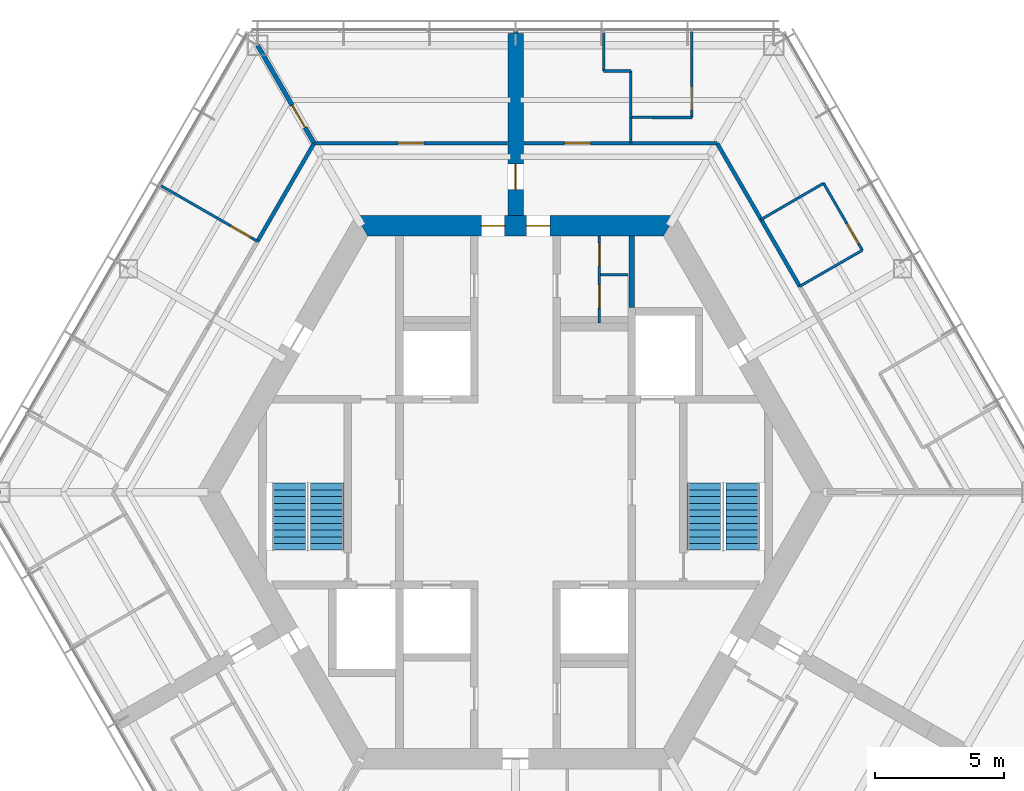
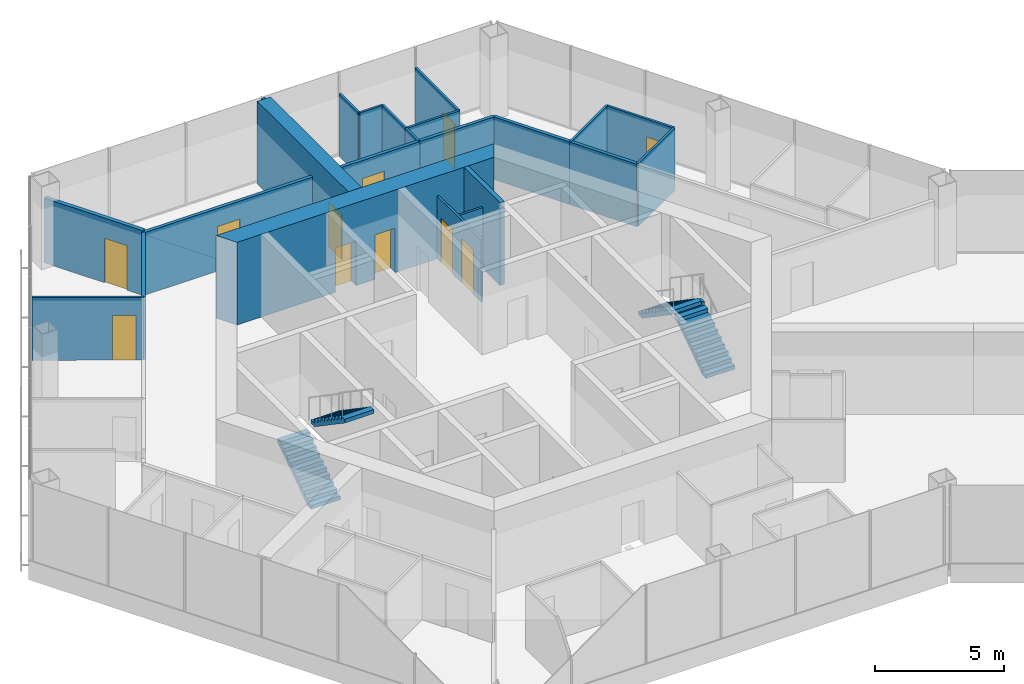
# One storey, part 14 of 17: 23 walls, 11 doors, 4 stair flights, 11 openings, 2 elements without a shape of their own.
"""IFC4 building model written with IfcOpenShell, lengths in metres."""

from ifc_helpers import new_model, si_unit, direction, frame, frame_2d, origin, place, context, subcontext, project, spatial, polyline, rectangle, outline, extrude, material, layer, layer_set, type_object, element, fill, aggregate, save


model = new_model("IFC4")

# Units and contexts
model_context = context("Model", 3, precision=1e-05, world=origin(), true_north=direction((0.0, 1.0)))
body_context = subcontext(model_context, "Body", "Model", "MODEL_VIEW")
ifc_project = project(units=[si_unit("LENGTHUNIT", "METRE"), si_unit("AREAUNIT", "SQUARE_METRE"), si_unit("VOLUMEUNIT", "CUBIC_METRE"), si_unit("PLANEANGLEUNIT", "RADIAN"), si_unit("MASSUNIT", "GRAM", prefix="KILO")], contexts=[model_context])

# Site, building, storey
site_placement = place(None, origin())
site = spatial("IfcSite", under=ifc_project, at=site_placement, CompositionType="ELEMENT")
building_placement = place(site_placement, origin())
building = spatial("IfcBuilding", under=site, at=building_placement, Name="Kasaneha Research Tower", CompositionType="ELEMENT")
storey_placement = place(building_placement, frame((0.0, 0.0, 232.300048828125)))
storey = spatial("IfcBuildingStorey", under=building, at=storey_placement, Name="L58", CompositionType="ELEMENT", Elevation=232.300048828125)

# Wall, openings, doors
ifc_material_1 = material(Name="Concrete Fc60", Category="concrete")
ifc_layer_1 = layer(ifc_material_1, 0.800048828125)
ifc_layer_set_1 = layer_set([ifc_layer_1], Name="Core wall 800 Fc60")
wall_type_1 = type_object("IfcWallType", Name="Core wall 800 Fc60", PredefinedType="SHEAR", material=ifc_layer_set_1)
wall_1_placement = place(storey_placement, frame((5.961181640625, 10.324951171875, 0.0), z_axis=(0.0, 0.0, 1.0), x_axis=(-1.0, 0.0, 0.0)))
wall_1 = element("IfcWall", 1, at=wall_1_placement, inside=storey, type_object=wall_type_1, Name="Core wall 090 L58", PredefinedType="SHEAR", context=body_context, shape_type="SweptSolid", body=[
    extrude(outline(polyline([(-0.23095703125, -0.39990234375), (4.63623046875, -0.39990234375), (5.5361328125, -0.39990234375), (6.38623046875, -0.39990234375), (7.2861328125, -0.39990234375), (12.1533203125, -0.39990234375), (11.69140625, 0.39990234375), (7.2861328125, 0.39990234375), (6.38623046875, 0.39990234375), (5.5361328125, 0.39990234375), (4.63623046875, 0.39990234375), (0.23095703125, 0.39990234375), (-0.23095703125, -0.39990234375)])), origin(), (0.0, 0.0, 1.0), 3.89990234375),
])
opening_1_placement = place(wall_1_placement, frame((6.38623046875, 0.0, 0.0)))
opening_1 = element("IfcOpeningElement", 2, at=opening_1_placement, cuts=wall_1, Name="Opening L58-D01", PredefinedType="OPENING", context=body_context, shape_type="SweptSolid", body=[
    extrude(rectangle(XDim=0.89990234375, YDim=2.10009765625, at=frame_2d((0.449951171875, 1.050048828125))), frame((0.0, 0.41015625, 0.0), z_axis=(0.0, -1.0, 0.0), x_axis=(1.0, 0.0, 0.0)), (0.0, 0.0, 1.0), 0.820068359375),
])
opening_2_placement = place(wall_1_placement, frame((4.63623046875, 0.0, 0.0)))
opening_2 = element("IfcOpeningElement", 3, at=opening_2_placement, cuts=wall_1, Name="Opening L58-D02", PredefinedType="OPENING", context=body_context, shape_type="SweptSolid", body=[
    extrude(rectangle(XDim=0.89990234375, YDim=2.10009765625, at=frame_2d((0.449951171875, 1.050048828125))), frame((0.0, 0.41015625, 0.0), z_axis=(0.0, -1.0, 0.0), x_axis=(1.0, 0.0, 0.0)), (0.0, 0.0, 1.0), 0.820068359375),
])
ifc_material_2 = material(Name="Steel", Category="steel")
door_type_1 = type_object("IfcDoorType", Name="Toilet door FD20 900x2100", OperationType="NOTDEFINED", PredefinedType="DOOR", material=ifc_material_2)
door_1_placement = place(opening_1_placement, origin())
door_1 = element("IfcDoor", 4, at=door_1_placement, inside=storey, type_object=door_type_1, Name="Core door north 1 L58-D01", OperationType="SINGLE_SWING_RIGHT", OverallHeight=2.10009765625, OverallWidth=0.89990234375, PredefinedType="DOOR", context=body_context, shape_type="SweptSolid", body=[
    extrude(rectangle(XDim=0.89990234375, YDim=2.10009765625, at=frame_2d((0.449951171875, 1.050048828125))), frame((0.0, 0.02490234375, 0.0), z_axis=(0.0, -1.0, 0.0), x_axis=(1.0, 0.0, 0.0)), (0.0, 0.0, 1.0), 0.050048828125),
])
fill(opening_1, door_1)
door_2_placement = place(opening_2_placement, origin())
door_2 = element("IfcDoor", 5, at=door_2_placement, inside=storey, type_object=door_type_1, Name="Core door north 2 L58-D02", OperationType="SINGLE_SWING_LEFT", OverallHeight=2.10009765625, OverallWidth=0.89990234375, PredefinedType="DOOR", context=body_context, shape_type="SweptSolid", body=[
    extrude(rectangle(XDim=0.89990234375, YDim=2.10009765625, at=frame_2d((0.449951171875, 1.050048828125))), frame((0.0, 0.02490234375, 0.0), z_axis=(0.0, -1.0, 0.0), x_axis=(1.0, 0.0, 0.0)), (0.0, 0.0, 1.0), 0.050048828125),
])
fill(opening_2, door_2)

ifc_material_3 = material(Name="Gypsum board on steel studs, one layer each side", Category="steel")
ifc_layer_2 = layer(ifc_material_3, 0.10009765625)
ifc_layer_set_2 = layer_set([ifc_layer_2], Name="Office partition 100")
wall_type_2 = type_object("IfcWallType", Name="Office partition 100", PredefinedType="PARTITIONING", material=ifc_layer_set_2)
wall_2_placement = place(storey_placement, frame((3.25, 6.550048828125, 0.0), z_axis=(0.0, 0.0, 1.0), x_axis=(0.0, 1.0, 0.0)))
wall_2 = element("IfcWall", 6, at=wall_2_placement, inside=storey, type_object=wall_type_2, Name="Office partition TBF1 L58", PredefinedType="PARTITIONING", context=body_context, shape_type="SweptSolid", body=[
    extrude(rectangle(XDim=3.375, YDim=0.10009765625, at=frame_2d((1.6875, 0.0))), origin(), (0.0, 0.0, 1.0), 2.949951171875),
])
opening_3_placement = place(wall_2_placement, frame((0.58740234375, 0.0, 0.0)))
opening_3 = element("IfcOpeningElement", 7, at=opening_3_placement, cuts=wall_2, Name="Opening L58-D21", PredefinedType="OPENING", context=body_context, shape_type="SweptSolid", body=[
    extrude(rectangle(XDim=0.89990234375, YDim=2.10009765625, at=frame_2d((0.449951171875, 1.050048828125))), frame((0.0, 0.06005859375, 0.0), z_axis=(0.0, -1.0, 0.0), x_axis=(1.0, 0.0, 0.0)), (0.0, 0.0, 1.0), 0.1201171875),
])
opening_4_placement = place(wall_2_placement, frame((2.199951171875, 0.0, 0.0)))
opening_4 = element("IfcOpeningElement", 8, at=opening_4_placement, cuts=wall_2, Name="Opening L58-D22", PredefinedType="OPENING", context=body_context, shape_type="SweptSolid", body=[
    extrude(rectangle(XDim=0.89990234375, YDim=2.10009765625, at=frame_2d((0.449951171875, 1.050048828125))), frame((0.0, 0.06005859375, 0.0), z_axis=(0.0, -1.0, 0.0), x_axis=(1.0, 0.0, 0.0)), (0.0, 0.0, 1.0), 0.1201171875),
])
ifc_material_4 = material(Name="Steel", Category="steel")
door_type_2 = type_object("IfcDoorType", Name="Toilet lobby door FD30 900x2100", OperationType="NOTDEFINED", PredefinedType="DOOR", material=ifc_material_4)
door_3_placement = place(opening_3_placement, origin())
door_3 = element("IfcDoor", 9, at=door_3_placement, inside=storey, type_object=door_type_2, Name="Women's WC door L58-D21", OperationType="SINGLE_SWING_RIGHT", OverallHeight=2.10009765625, OverallWidth=0.89990234375, PredefinedType="DOOR", context=body_context, shape_type="SweptSolid", body=[
    extrude(rectangle(XDim=0.89990234375, YDim=2.10009765625, at=frame_2d((0.449951171875, 1.050048828125))), frame((0.0, 0.02490234375, 0.0), z_axis=(0.0, -1.0, 0.0), x_axis=(1.0, 0.0, 0.0)), (0.0, 0.0, 1.0), 0.050048828125),
])
fill(opening_3, door_3)
door_4_placement = place(opening_4_placement, origin())
door_4 = element("IfcDoor", 10, at=door_4_placement, inside=storey, type_object=door_type_2, Name="Cleaner's store door L58-D22", OperationType="SINGLE_SWING_RIGHT", OverallHeight=2.10009765625, OverallWidth=0.89990234375, PredefinedType="DOOR", context=body_context, shape_type="SweptSolid", body=[
    extrude(rectangle(XDim=0.89990234375, YDim=2.10009765625, at=frame_2d((0.449951171875, 1.050048828125))), frame((0.0, 0.02490234375, 0.0), z_axis=(0.0, -1.0, 0.0), x_axis=(1.0, 0.0, 0.0)), (0.0, 0.0, 1.0), 0.050048828125),
])
fill(opening_4, door_4)

# Walls
for number, where, z_axis, x_axis, name in (
    (11, (3.300048828125, 8.425048828125, 0.0), (0.0, 0.0, 1.0), (1.0, 0.0, 0.0), "Office partition TBF2 L58"),
    (12, (3.4150390625, 16.324951171875, 0.0), (0.0, 0.0, 1.0), (1.0, 0.0, 0.0), "Office partition FAE06 L58"),
):
    element("IfcWall", number, at=place(storey_placement, frame(where, z_axis=z_axis, x_axis=x_axis)), inside=storey, type_object=wall_type_2, Name=name, PredefinedType="PARTITIONING", context=body_context, shape_type="SweptSolid", body=[
        extrude(rectangle(XDim=1.050048828125, YDim=0.10009765625, at=frame_2d((0.52490234375, 0.0))), origin(), (0.0, 0.0, 1.0), 2.949951171875),
    ])
wall_3_placement = place(storey_placement, frame((3.4150390625, 17.800537109375, 0.0), z_axis=(0.0, 0.0, 1.0), x_axis=(0.0, -1.0, 0.0)))
element("IfcWall", 13, at=wall_3_placement, inside=storey, type_object=wall_type_2, Name="Office partition FAE07 L58", PredefinedType="PARTITIONING", context=body_context, shape_type="SweptSolid", body=[
    extrude(rectangle(XDim=1.4755859375, YDim=0.10009765625, at=frame_2d((0.73779296875, 0.0))), origin(), (0.0, 0.0, 1.0), 2.949951171875),
])
wall_4_placement = place(storey_placement, frame((4.465087890625, 16.324951171875, 0.0), z_axis=(0.0, 0.0, 1.0), x_axis=(0.0, -1.0, 0.0)))
element("IfcWall", 14, at=wall_4_placement, inside=storey, type_object=wall_type_2, Name="Office partition FAE08 L58", PredefinedType="PARTITIONING", context=body_context, shape_type="SweptSolid", body=[
    extrude(rectangle(XDim=1.8095703125, YDim=0.10009765625, at=frame_2d((0.90478515625, 0.0))), origin(), (0.0, 0.0, 1.0), 2.949951171875),
])
wall_5_placement = place(storey_placement, frame((4.465087890625, 14.52490234375, 0.0), z_axis=(0.0, 0.0, 1.0), x_axis=(-0.00463862197, -0.999989241535, 0.0)))
element("IfcWall", 15, at=wall_5_placement, inside=storey, type_object=wall_type_2, Name="Office partition FAE09 L58", PredefinedType="PARTITIONING", context=body_context, shape_type="SweptSolid", body=[
    extrude(rectangle(XDim=1.0, YDim=0.10009765625, at=frame_2d((0.5, 0.0))), origin(), (0.0, 0.0, 1.0), 2.949951171875),
])
wall_6_placement = place(storey_placement, frame((9.51513671875, 10.569091796875, 0.0), z_axis=(0.0, 0.0, 1.0), x_axis=(0.865255114713, 0.501331812737, 0.0)))
element("IfcWall", 16, at=wall_6_placement, inside=storey, type_object=wall_type_2, Name="Office partition FAE10 L58", PredefinedType="PARTITIONING", context=body_context, shape_type="SweptSolid", body=[
    extrude(rectangle(XDim=2.800048828125, YDim=0.10009765625, at=frame_2d((1.39990234375, 0.0))), origin(), (0.0, 0.0, 1.0), 2.949951171875),
])

# Wall, opening, door
wall_7_placement = place(storey_placement, frame((11.93798828125, 11.972900390625, 0.0), z_axis=(0.0, 0.0, 1.0), x_axis=(0.50002537861, -0.866010750942, 0.0)))
wall_7 = element("IfcWall", 17, at=wall_7_placement, inside=storey, type_object=wall_type_2, Name="Office partition FAE11 L58", PredefinedType="PARTITIONING", context=body_context, shape_type="SweptSolid", body=[
    extrude(rectangle(XDim=2.999755859375, YDim=0.10009765625, at=frame_2d((1.5, 0.0))), origin(), (0.0, 0.0, 1.0), 2.949951171875),
])
opening_5_placement = place(wall_7_placement, frame((1.800048828125, 0.0, 0.0)))
opening_5 = element("IfcOpeningElement", 18, at=opening_5_placement, cuts=wall_7, Name="Opening L58-D28", PredefinedType="OPENING", context=body_context, shape_type="SweptSolid", body=[
    extrude(rectangle(XDim=0.89990234375, YDim=2.10009765625, at=frame_2d((0.449951171875, 1.050048828125))), frame((0.0, 0.06005859375, 0.0), z_axis=(0.0, -1.0, 0.0), x_axis=(1.0, 0.0, 0.0)), (0.0, 0.0, 1.0), 0.1201171875),
])
ifc_material_5 = material(Name="Timber veneer", Category="wood")
door_type_3 = type_object("IfcDoorType", Name="Office door 900x2100", OperationType="SINGLE_SWING_LEFT", PredefinedType="DOOR", material=ifc_material_5)
door_5_placement = place(opening_5_placement, origin())
door_5 = element("IfcDoor", 19, at=door_5_placement, inside=storey, type_object=door_type_3, Name="Pantry door L58-D28", OperationType="SINGLE_SWING_RIGHT", OverallHeight=2.10009765625, OverallWidth=0.89990234375, PredefinedType="DOOR", context=body_context, shape_type="SweptSolid", body=[
    extrude(rectangle(XDim=0.89990234375, YDim=2.10009765625, at=frame_2d((0.449951171875, 1.050048828125))), frame((0.0, 0.02490234375, 0.0), z_axis=(0.0, -1.0, 0.0), x_axis=(1.0, 0.0, 0.0)), (0.0, 0.0, 1.0), 0.050048828125),
])
fill(opening_5, door_5)

# Walls
wall_8_placement = place(storey_placement, frame((13.43798828125, 9.375, 0.0), z_axis=(0.0, 0.0, 1.0), x_axis=(-0.866817750494, -0.498625097071, 0.0)))
element("IfcWall", 20, at=wall_8_placement, inside=storey, type_object=wall_type_2, Name="Office partition FAE12 L58", PredefinedType="PARTITIONING", context=body_context, shape_type="SweptSolid", body=[
    extrude(rectangle(XDim=2.80029296875, YDim=0.10009765625, at=frame_2d((1.400146484375, 0.0))), origin(), (0.0, 0.0, 1.0), 2.949951171875),
])
wall_9_placement = place(storey_placement, frame((6.830810546875, 14.5205078125, 0.0), z_axis=(0.0, 0.0, 1.0), x_axis=(-0.999998274693, 0.001857581934, 0.0)))
element("IfcWall", 21, at=wall_9_placement, inside=storey, type_object=wall_type_2, Name="Office partition FAE16 L58", PredefinedType="PARTITIONING", context=body_context, shape_type="SweptSolid", body=[
    extrude(rectangle(XDim=2.36572265625, YDim=0.10009765625, at=frame_2d((1.182861328125, 0.0))), origin(), (0.0, 0.0, 1.0), 2.949951171875),
])

# Wall, opening, door
wall_10_placement = place(storey_placement, frame((6.830810546875, 17.85546875, 0.0), z_axis=(0.0, 0.0, 1.0), x_axis=(0.0, -1.0, 0.0)))
wall_10 = element("IfcWall", 22, at=wall_10_placement, inside=storey, type_object=wall_type_2, Name="Office partition FAE17 L58", PredefinedType="PARTITIONING", context=body_context, shape_type="SweptSolid", body=[
    extrude(rectangle(XDim=3.3349609375, YDim=0.10009765625, at=frame_2d((1.66748046875, 0.0))), origin(), (0.0, 0.0, 1.0), 2.949951171875),
])
opening_6_placement = place(wall_10_placement, frame((2.135009765625, 0.0, 0.0)))
opening_6 = element("IfcOpeningElement", 23, at=opening_6_placement, cuts=wall_10, Name="Opening L58-D30", PredefinedType="OPENING", context=body_context, shape_type="SweptSolid", body=[
    extrude(rectangle(XDim=0.89990234375, YDim=2.10009765625, at=frame_2d((0.449951171875, 1.050048828125))), frame((0.0, 0.06005859375, 0.0), z_axis=(0.0, -1.0, 0.0), x_axis=(1.0, 0.0, 0.0)), (0.0, 0.0, 1.0), 0.1201171875),
])
door_6_placement = place(opening_6_placement, origin())
door_6 = element("IfcDoor", 24, at=door_6_placement, inside=storey, type_object=door_type_3, Name="Manager's office door L58-D30", OperationType="SINGLE_SWING_RIGHT", OverallHeight=2.10009765625, OverallWidth=0.89990234375, PredefinedType="DOOR", context=body_context, shape_type="SweptSolid", body=[
    extrude(rectangle(XDim=0.89990234375, YDim=2.10009765625, at=frame_2d((0.449951171875, 1.050048828125))), frame((0.0, 0.02490234375, 0.0), z_axis=(0.0, -1.0, 0.0), x_axis=(1.0, 0.0, 0.0)), (0.0, 0.0, 1.0), 0.050048828125),
])
fill(opening_6, door_6)

wall_11_placement = place(storey_placement, frame((-10.0029296875, 9.724365234375, 0.0), z_axis=(0.0, 0.0, 1.0), x_axis=(-0.866566724083, 0.499061231426, 0.0)))
wall_11 = element("IfcWall", 25, at=wall_11_placement, inside=storey, type_object=wall_type_2, Name="Office partition FBN10 L58", PredefinedType="PARTITIONING", context=body_context, shape_type="SweptSolid", body=[
    extrude(rectangle(XDim=4.305419921875, YDim=0.10009765625, at=frame_2d((2.15283203125, 0.0))), origin(), (0.0, 0.0, 1.0), 2.949951171875),
])
opening_7_placement = place(wall_11_placement, frame((0.300048828125, 0.0, 0.0)))
opening_7 = element("IfcOpeningElement", 26, at=opening_7_placement, cuts=wall_11, Name="Opening L58-D36", PredefinedType="OPENING", context=body_context, shape_type="SweptSolid", body=[
    extrude(rectangle(XDim=0.89990234375, YDim=2.10009765625, at=frame_2d((0.449951171875, 1.050048828125))), frame((0.0, 0.06005859375, 0.0), z_axis=(0.0, -1.0, 0.0), x_axis=(1.0, 0.0, 0.0)), (0.0, 0.0, 1.0), 0.1201171875),
])
door_7_placement = place(opening_7_placement, origin())
door_7 = element("IfcDoor", 27, at=door_7_placement, inside=storey, type_object=door_type_3, Name="Reception room door L58-D36", OperationType="SINGLE_SWING_LEFT", OverallHeight=2.10009765625, OverallWidth=0.89990234375, PredefinedType="DOOR", context=body_context, shape_type="SweptSolid", body=[
    extrude(rectangle(XDim=0.89990234375, YDim=2.10009765625, at=frame_2d((0.449951171875, 1.050048828125))), frame((0.0, 0.02490234375, 0.0), z_axis=(0.0, -1.0, 0.0), x_axis=(1.0, 0.0, 0.0)), (0.0, 0.0, 1.0), 0.050048828125),
])
fill(opening_7, door_7)

# Wall
ifc_material_6 = material(Name="Concrete block", Category="concrete")
ifc_layer_3 = layer(ifc_material_6, 0.199951171875)
ifc_layer_set_3 = layer_set([ifc_layer_3], Name="Riser enclosure wall 200")
wall_type_3 = type_object("IfcWallType", Name="Riser enclosure wall 200", PredefinedType="STANDARD", material=ifc_layer_set_3)
wall_12_placement = place(storey_placement, frame((4.5, 7.14990234375, 0.0), z_axis=(0.0, 0.0, 1.0), x_axis=(0.0, 1.0, 0.0)))
element("IfcWall", 28, at=wall_12_placement, inside=storey, type_object=wall_type_3, Name="Riser enclosure wall L58", PredefinedType="STANDARD", context=body_context, shape_type="SweptSolid", body=[
    extrude(rectangle(XDim=2.775146484375, YDim=0.199951171875, at=frame_2d((1.3876953125, 0.0))), origin(), (0.0, 0.0, 1.0), 3.89990234375),
])

# Wall, opening, door
ifc_material_7 = material(Name="Concrete Fc60", Category="concrete")
ifc_layer_4 = layer(ifc_material_7, 0.60009765625)
ifc_layer_set_4 = layer_set([ifc_layer_4], Name="Spine wall 600 Fc60")
wall_type_4 = type_object("IfcWallType", Name="Spine wall 600 Fc60", PredefinedType="SHEAR", material=ifc_layer_set_4)
wall_13_placement = place(storey_placement, frame((0.0, 10.72509765625, 0.0), z_axis=(0.0, 0.0, 1.0), x_axis=(0.0, 1.0, 0.0)))
wall_13 = element("IfcWall", 29, at=wall_13_placement, inside=storey, type_object=wall_type_4, Name="Spine wall A L58", PredefinedType="SHEAR", context=body_context, shape_type="SweptSolid", body=[
    extrude(rectangle(XDim=7.04541015625, YDim=0.60009765625, at=frame_2d((3.522705078125, 0.0))), origin(), (0.0, 0.0, 1.0), 3.89990234375),
])
opening_8_placement = place(wall_13_placement, frame((1.0, 0.0, 0.0)))
opening_8 = element("IfcOpeningElement", 30, at=opening_8_placement, cuts=wall_13, Name="Opening L58-D18", PredefinedType="OPENING", context=body_context, shape_type="SweptSolid", body=[
    extrude(rectangle(XDim=1.0, YDim=2.10009765625, at=frame_2d((0.5, 1.050048828125))), frame((0.0, 0.31005859375, 0.0), z_axis=(0.0, -1.0, 0.0), x_axis=(1.0, 0.0, 0.0)), (0.0, 0.0, 1.0), 0.6201171875),
])
ifc_material_8 = material(Name="Steel", Category="steel")
door_type_4 = type_object("IfcDoorType", Name="Specified fire door FD60 1000x2100", OperationType="NOTDEFINED", PredefinedType="DOOR", material=ifc_material_8)
door_8_placement = place(opening_8_placement, origin())
door_8 = element("IfcDoor", 31, at=door_8_placement, inside=storey, type_object=door_type_4, Name="Spine doorway A L58-D18", OperationType="SINGLE_SWING_LEFT", OverallHeight=2.10009765625, OverallWidth=1.0, PredefinedType="DOOR", context=body_context, shape_type="SweptSolid", body=[
    extrude(rectangle(XDim=1.0, YDim=2.10009765625, at=frame_2d((0.5, 1.050048828125))), frame((0.0, 0.02490234375, 0.0), z_axis=(0.0, -1.0, 0.0), x_axis=(1.0, 0.0, 0.0)), (0.0, 0.0, 1.0), 0.050048828125),
])
fill(opening_8, door_8)

ifc_material_9 = material(Name="Gypsum board on steel studs, two layers each side", Category="steel")
ifc_layer_5 = layer(ifc_material_9, 0.14990234375)
ifc_layer_set_5 = layer_set([ifc_layer_5], Name="Suite partition 150")
wall_type_5 = type_object("IfcWallType", Name="Suite partition 150", PredefinedType="PARTITIONING", material=ifc_layer_set_5)
wall_14_placement = place(storey_placement, frame((0.320068359375, 13.52490234375, 0.0), z_axis=(0.0, 0.0, 1.0), x_axis=(1.0, 0.0, 0.0)))
wall_14 = element("IfcWall", 32, at=wall_14_placement, inside=storey, type_object=wall_type_5, Name="Suite partition FAE01 L58", PredefinedType="PARTITIONING", context=body_context, shape_type="SweptSolid", body=[
    extrude(rectangle(XDim=4.14990234375, YDim=0.14990234375, at=frame_2d((2.074951171875, 0.0))), origin(), (0.0, 0.0, 1.0), 2.949951171875),
])
opening_9_placement = place(wall_14_placement, frame((1.574951171875, 0.0, 0.0)))
opening_9 = element("IfcOpeningElement", 33, at=opening_9_placement, cuts=wall_14, Name="Opening L58-D26", PredefinedType="OPENING", context=body_context, shape_type="SweptSolid", body=[
    extrude(rectangle(XDim=1.0, YDim=2.10009765625, at=frame_2d((0.5, 1.050048828125))), frame((0.0, 0.0849609375, 0.0), z_axis=(0.0, -1.0, 0.0), x_axis=(1.0, 0.0, 0.0)), (0.0, 0.0, 1.0), 0.169921875),
])
ifc_material_10 = material(Name="Steel", Category="steel")
door_type_5 = type_object("IfcDoorType", Name="Suite entrance door FD60 1000x2100", OperationType="NOTDEFINED", PredefinedType="DOOR", material=ifc_material_10)
door_9_placement = place(opening_9_placement, origin())
door_9 = element("IfcDoor", 34, at=door_9_placement, inside=storey, type_object=door_type_5, Name="Suite entrance door L58-D26", OperationType="SINGLE_SWING_RIGHT", OverallHeight=2.10009765625, OverallWidth=1.0, PredefinedType="DOOR", context=body_context, shape_type="SweptSolid", body=[
    extrude(rectangle(XDim=1.0, YDim=2.10009765625, at=frame_2d((0.5, 1.050048828125))), frame((0.0, 0.02490234375, 0.0), z_axis=(0.0, -1.0, 0.0), x_axis=(1.0, 0.0, 0.0)), (0.0, 0.0, 1.0), 0.050048828125),
])
fill(opening_9, door_9)

# Walls
wall_15_placement = place(storey_placement, frame((9.510498046875, 10.577392578125, 0.0), z_axis=(0.0, 0.0, 1.0), x_axis=(0.499977562641, -0.866038357612, 0.0)))
element("IfcWall", 35, at=wall_15_placement, inside=storey, type_object=wall_type_5, Name="Suite partition FAE02 L58", PredefinedType="PARTITIONING", context=body_context, shape_type="SweptSolid", body=[
    extrude(rectangle(XDim=3.010009765625, YDim=0.14990234375, at=frame_2d((1.5048828125, 0.0))), origin(), (0.0, 0.0, 1.0), 2.949951171875),
])
wall_16_placement = place(storey_placement, frame((4.46044921875, 13.52490234375, 0.0), z_axis=(0.0, 0.0, 1.0), x_axis=(1.0, 0.0, 0.0)))
element("IfcWall", 36, at=wall_16_placement, inside=storey, type_object=wall_type_5, Name="Suite partition FAE03 L58", PredefinedType="PARTITIONING", context=body_context, shape_type="SweptSolid", body=[
    extrude(rectangle(XDim=3.34814453125, YDim=0.14990234375, at=frame_2d((1.674072265625, 0.0))), origin(), (0.0, 0.0, 1.0), 2.949951171875),
])
wall_17_placement = place(storey_placement, frame((7.80859375, 13.52490234375, 0.0), z_axis=(0.0, 0.0, 1.0), x_axis=(0.500001088571, -0.866024775297, 0.0)))
element("IfcWall", 37, at=wall_17_placement, inside=storey, type_object=wall_type_5, Name="Suite partition FAE04 L58", PredefinedType="PARTITIONING", context=body_context, shape_type="SweptSolid", body=[
    extrude(rectangle(XDim=3.4130859375, YDim=0.14990234375, at=frame_2d((1.70654296875, 0.0))), origin(), (0.0, 0.0, 1.0), 2.949951171875),
])

# Wall, opening, door
wall_18_placement = place(storey_placement, frame((-7.78564453125, 13.52490234375, 0.0), z_axis=(0.0, 0.0, 1.0), x_axis=(1.0, 0.0, 0.0)))
wall_18 = element("IfcWall", 38, at=wall_18_placement, inside=storey, type_object=wall_type_5, Name="Suite partition FAW01 L58", PredefinedType="PARTITIONING", context=body_context, shape_type="SweptSolid", body=[
    extrude(rectangle(XDim=7.465576171875, YDim=0.14990234375, at=frame_2d((3.73291015625, 0.0))), origin(), (0.0, 0.0, 1.0), 2.949951171875),
])
opening_10_placement = place(wall_18_placement, frame((3.23291015625, 0.0, 0.0)))
opening_10 = element("IfcOpeningElement", 39, at=opening_10_placement, cuts=wall_18, Name="Opening L58-D32", PredefinedType="OPENING", context=body_context, shape_type="SweptSolid", body=[
    extrude(rectangle(XDim=1.0, YDim=2.10009765625, at=frame_2d((0.5, 1.050048828125))), frame((0.0, 0.0849609375, 0.0), z_axis=(0.0, -1.0, 0.0), x_axis=(1.0, 0.0, 0.0)), (0.0, 0.0, 1.0), 0.169921875),
])
door_10_placement = place(opening_10_placement, origin())
door_10 = element("IfcDoor", 40, at=door_10_placement, inside=storey, type_object=door_type_5, Name="Suite entrance door L58-D32", OperationType="SINGLE_SWING_RIGHT", OverallHeight=2.10009765625, OverallWidth=1.0, PredefinedType="DOOR", context=body_context, shape_type="SweptSolid", body=[
    extrude(rectangle(XDim=1.0, YDim=2.10009765625, at=frame_2d((0.5, 1.050048828125))), frame((0.0, 0.02490234375, 0.0), z_axis=(0.0, -1.0, 0.0), x_axis=(1.0, 0.0, 0.0)), (0.0, 0.0, 1.0), 0.050048828125),
])
fill(opening_10, door_10)

# Wall
wall_19_placement = place(storey_placement, frame((-10.0078125, 9.716064453125, 0.0), z_axis=(0.0, 0.0, 1.0), x_axis=(0.500004234368, 0.866022959057, 0.0)))
element("IfcWall", 41, at=wall_19_placement, inside=storey, type_object=wall_type_5, Name="Suite partition FBN02 L58", PredefinedType="PARTITIONING", context=body_context, shape_type="SweptSolid", body=[
    extrude(rectangle(XDim=4.375, YDim=0.14990234375, at=frame_2d((2.1875, 0.0))), origin(), (0.0, 0.0, 1.0), 2.949951171875),
])

# Wall, opening, door
ifc_material_11 = material(Name="Gypsum board on steel studs, two layers each side", Category="steel")
ifc_layer_6 = layer(ifc_material_11, 0.175048828125)
ifc_layer_set_6 = layer_set([ifc_layer_6], Name="Tenancy fire partition 175")
wall_type_6 = type_object("IfcWallType", Name="Tenancy fire partition 175", PredefinedType="PARTITIONING", material=ifc_layer_set_6)
wall_20_placement = place(storey_placement, frame((-7.80859375, 13.52490234375, 0.0), z_axis=(0.0, 0.0, 1.0), x_axis=(-0.499997299682, 0.866026962808, 0.0)))
wall_20 = element("IfcWall", 42, at=wall_20_placement, inside=storey, type_object=wall_type_6, Name="Tenancy fire partition T120 L58", PredefinedType="PARTITIONING", context=body_context, shape_type="SweptSolid", body=[
    extrude(rectangle(XDim=4.3828125, YDim=0.175048828125, at=frame_2d((2.19140625, 0.0))), origin(), (0.0, 0.0, 1.0), 3.050048828125),
])
opening_11_placement = place(wall_20_placement, frame((0.699951171875, 0.0, 0.0)))
opening_11 = element("IfcOpeningElement", 43, at=opening_11_placement, cuts=wall_20, Name="Opening L58-D24", PredefinedType="OPENING", context=body_context, shape_type="SweptSolid", body=[
    extrude(rectangle(XDim=1.0, YDim=2.10009765625, at=frame_2d((0.5, 1.050048828125))), frame((0.0, 0.09765625, 0.0), z_axis=(0.0, -1.0, 0.0), x_axis=(1.0, 0.0, 0.0)), (0.0, 0.0, 1.0), 0.195068359375),
])
door_11_placement = place(opening_11_placement, origin())
door_11 = element("IfcDoor", 44, at=door_11_placement, inside=storey, type_object=door_type_5, Name="Connecting door L58-D24", OperationType="SINGLE_SWING_LEFT", OverallHeight=2.10009765625, OverallWidth=1.0, PredefinedType="DOOR", context=body_context, shape_type="SweptSolid", body=[
    extrude(rectangle(XDim=1.0, YDim=2.10009765625, at=frame_2d((0.5, 1.050048828125))), frame((0.0, 0.02490234375, 0.0), z_axis=(0.0, -1.0, 0.0), x_axis=(1.0, 0.0, 0.0)), (0.0, 0.0, 1.0), 0.050048828125),
])
fill(opening_11, door_11)

# Wall
wall_21_placement = place(storey_placement, frame((0.0, 17.7705078125, 0.0), z_axis=(0.0, 0.0, 1.0), x_axis=(0.0, 1.0, 0.0)))
element("IfcWall", 45, at=wall_21_placement, inside=storey, type_object=wall_type_6, Name="Spine wall closer SW4-600 L58", PredefinedType="PARTITIONING", context=body_context, shape_type="SweptSolid", body=[
    extrude(rectangle(XDim=0.0849609375, YDim=0.175048828125, at=frame_2d((0.04248046875, 0.0))), origin(), (0.0, 0.0, 1.0), 3.89990234375),
])

# Stair, stair flights
ifc_material_12 = material(Name="Concrete Fc24", Category="concrete")
stair_type = type_object("IfcStairType", Name="Half-turn stair 22 risers", PredefinedType="HALF_TURN_STAIR", material=ifc_material_12)
stair_1_placement = place(storey_placement, origin())
stair_1 = element("IfcStair", 46, at=stair_1_placement, inside=storey, type_object=stair_type, Name="Stair 1 L58", PredefinedType="HALF_TURN_STAIR")
ifc_material_13 = material(Name="Concrete Fc24", Category="concrete")
stair_flight_type = type_object("IfcStairFlightType", Name="Stair flight 11 risers 177.3", PredefinedType="STRAIGHT", material=ifc_material_13)
stair_flight_1_placement = place(storey_placement, frame((8.800048828125, -2.25, 0.0), z_axis=(0.0, 0.0, 1.0), x_axis=(0.0, 1.0, 0.0)))
stair_flight_1 = element("IfcStairFlight", 47, at=stair_flight_1_placement, type_object=stair_flight_type, Name="ST1-22R flight 1", NumberOfRisers=11, NumberOfTreads=10, PredefinedType="STRAIGHT", RiserHeight=0.177272727, TreadLength=0.26, context=body_context, shape_type="SweptSolid", body=[
    extrude(outline(polyline([(0.0, 0.0), (0.0, 0.17724609375), (0.260009765625, 0.17724609375), (0.260009765625, 0.3544921875), (0.52001953125, 0.3544921875), (0.52001953125, 0.53173828125), (0.780029296875, 0.53173828125), (0.780029296875, 0.708984375), (1.0400390625, 0.708984375), (1.0400390625, 0.886474609375), (1.300048828125, 0.886474609375), (1.300048828125, 1.063720703125), (1.56005859375, 1.063720703125), (1.56005859375, 1.240966796875), (1.820068359375, 1.240966796875), (1.820068359375, 1.418212890625), (2.080078125, 1.418212890625), (2.080078125, 1.595458984375), (2.340087890625, 1.595458984375), (2.340087890625, 1.772705078125), (2.60009765625, 1.772705078125), (2.60009765625, 1.949951171875), (2.60009765625, 1.59130859375), (0.26611328125, 0.0), (0.0, 0.0)])), frame((0.0, 0.64990234375, 0.0), z_axis=(0.0, -1.0, 0.0), x_axis=(1.0, 0.0, 0.0)), (0.0, 0.0, 1.0), 1.300048828125),
])
stair_flight_2_placement = place(storey_placement, frame((7.300048828125, 0.35009765625, 1.949951171875), z_axis=(0.0, 0.0, 1.0), x_axis=(0.0, -1.0, 0.0)))
stair_flight_2 = element("IfcStairFlight", 48, at=stair_flight_2_placement, type_object=stair_flight_type, Name="ST1-22R flight 2", NumberOfRisers=11, NumberOfTreads=10, PredefinedType="STRAIGHT", RiserHeight=0.177272727, TreadLength=0.26, context=body_context, shape_type="SweptSolid", body=[
    extrude(outline(polyline([(0.0, 0.0), (0.0, 0.17724609375), (0.260009765625, 0.17724609375), (0.260009765625, 0.3544921875), (0.52001953125, 0.3544921875), (0.52001953125, 0.53173828125), (0.780029296875, 0.53173828125), (0.780029296875, 0.708984375), (1.0400390625, 0.708984375), (1.0400390625, 0.886474609375), (1.300048828125, 0.886474609375), (1.300048828125, 1.063720703125), (1.56005859375, 1.063720703125), (1.56005859375, 1.240966796875), (1.820068359375, 1.240966796875), (1.820068359375, 1.418212890625), (2.080078125, 1.418212890625), (2.080078125, 1.595458984375), (2.340087890625, 1.595458984375), (2.340087890625, 1.772705078125), (2.60009765625, 1.772705078125), (2.60009765625, 1.949951171875), (2.60009765625, 1.59130859375), (0.26611328125, 0.0), (0.0, 0.0)])), frame((0.0, 0.64990234375, 0.0), z_axis=(0.0, -1.0, 0.0), x_axis=(1.0, 0.0, 0.0)), (0.0, 0.0, 1.0), 1.300048828125),
])
aggregate(stair_1, [stair_flight_1, stair_flight_2])

stair_2_placement = place(storey_placement, origin())
stair_2 = element("IfcStair", 49, at=stair_2_placement, inside=storey, type_object=stair_type, Name="Stair 2 L58", PredefinedType="HALF_TURN_STAIR")
stair_flight_3_placement = place(storey_placement, frame((-8.800048828125, -2.25, 0.0), z_axis=(0.0, 0.0, 1.0), x_axis=(0.0, 1.0, 0.0)))
stair_flight_3 = element("IfcStairFlight", 50, at=stair_flight_3_placement, type_object=stair_flight_type, Name="ST2-22R flight 1", NumberOfRisers=11, NumberOfTreads=10, PredefinedType="STRAIGHT", RiserHeight=0.177272727, TreadLength=0.26, context=body_context, shape_type="SweptSolid", body=[
    extrude(outline(polyline([(0.0, 0.0), (0.0, 0.17724609375), (0.260009765625, 0.17724609375), (0.260009765625, 0.3544921875), (0.52001953125, 0.3544921875), (0.52001953125, 0.53173828125), (0.780029296875, 0.53173828125), (0.780029296875, 0.708984375), (1.0400390625, 0.708984375), (1.0400390625, 0.886474609375), (1.300048828125, 0.886474609375), (1.300048828125, 1.063720703125), (1.56005859375, 1.063720703125), (1.56005859375, 1.240966796875), (1.820068359375, 1.240966796875), (1.820068359375, 1.418212890625), (2.080078125, 1.418212890625), (2.080078125, 1.595458984375), (2.340087890625, 1.595458984375), (2.340087890625, 1.772705078125), (2.60009765625, 1.772705078125), (2.60009765625, 1.949951171875), (2.60009765625, 1.59130859375), (0.26611328125, 0.0), (0.0, 0.0)])), frame((0.0, 0.64990234375, 0.0), z_axis=(0.0, -1.0, 0.0), x_axis=(1.0, 0.0, 0.0)), (0.0, 0.0, 1.0), 1.300048828125),
])
stair_flight_4_placement = place(storey_placement, frame((-7.300048828125, 0.35009765625, 1.949951171875), z_axis=(0.0, 0.0, 1.0), x_axis=(0.0, -1.0, 0.0)))
stair_flight_4 = element("IfcStairFlight", 51, at=stair_flight_4_placement, type_object=stair_flight_type, Name="ST2-22R flight 2", NumberOfRisers=11, NumberOfTreads=10, PredefinedType="STRAIGHT", RiserHeight=0.177272727, TreadLength=0.26, context=body_context, shape_type="SweptSolid", body=[
    extrude(outline(polyline([(0.0, 0.0), (0.0, 0.17724609375), (0.260009765625, 0.17724609375), (0.260009765625, 0.3544921875), (0.52001953125, 0.3544921875), (0.52001953125, 0.53173828125), (0.780029296875, 0.53173828125), (0.780029296875, 0.708984375), (1.0400390625, 0.708984375), (1.0400390625, 0.886474609375), (1.300048828125, 0.886474609375), (1.300048828125, 1.063720703125), (1.56005859375, 1.063720703125), (1.56005859375, 1.240966796875), (1.820068359375, 1.240966796875), (1.820068359375, 1.418212890625), (2.080078125, 1.418212890625), (2.080078125, 1.595458984375), (2.340087890625, 1.595458984375), (2.340087890625, 1.772705078125), (2.60009765625, 1.772705078125), (2.60009765625, 1.949951171875), (2.60009765625, 1.59130859375), (0.26611328125, 0.0), (0.0, 0.0)])), frame((0.0, 0.64990234375, 0.0), z_axis=(0.0, -1.0, 0.0), x_axis=(1.0, 0.0, 0.0)), (0.0, 0.0, 1.0), 1.300048828125),
])
aggregate(stair_2, [stair_flight_3, stair_flight_4])

save(model, "model.ifc")
